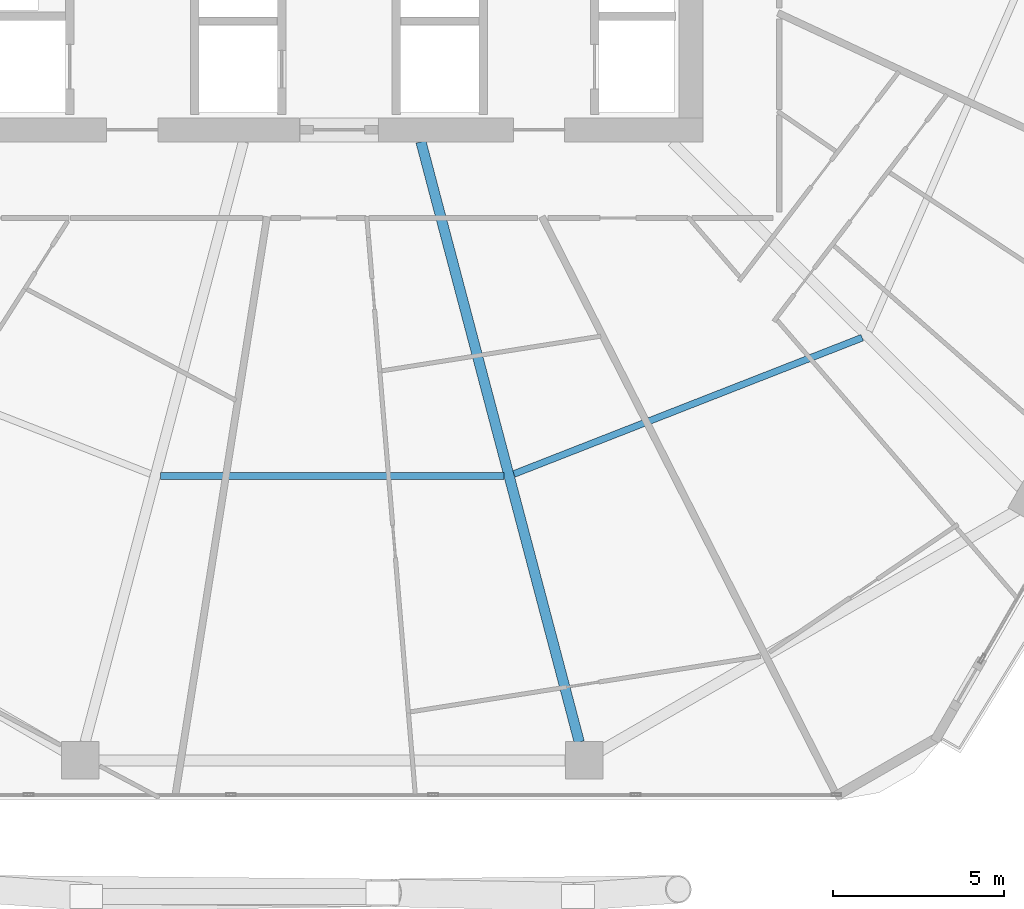
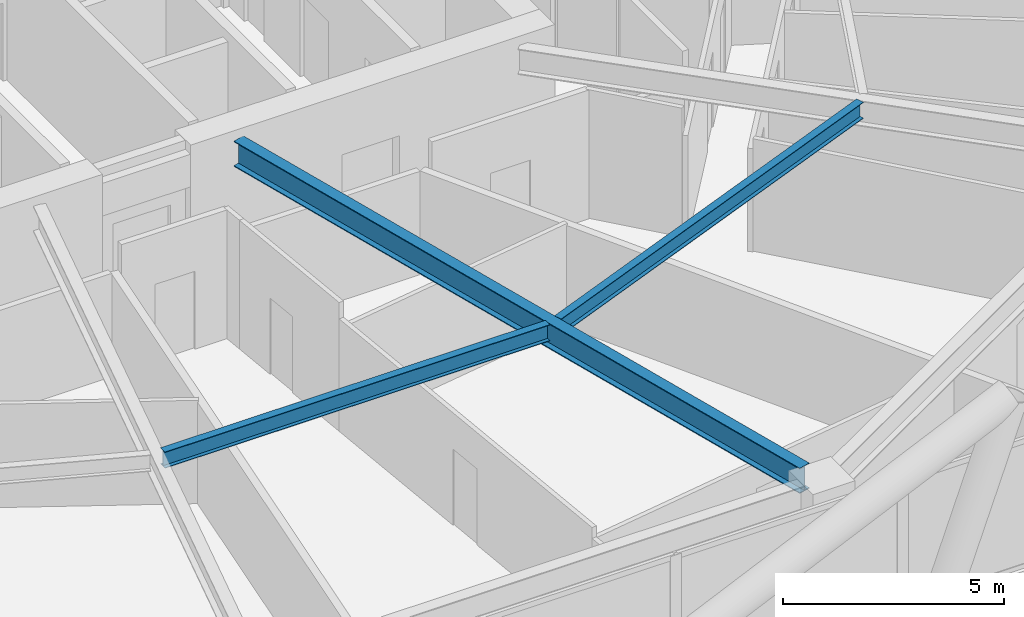
# One storey, part 8 of 34: 3 beams.
"""IFC4 building model written with IfcOpenShell, lengths in metres."""

import ifcopenshell
import ifcopenshell.guid

model = None  # the IFC model being written
_history = None  # IfcOwnerHistory: only IFC2X3 demands one
_inside = {}  # id of a spatial element -> (the spatial element, [elements in it])
_under = {}  # id of a project, library or spatial element -> (it, [spatial elements below it])
_declared = {}  # id of a project -> (the project, [libraries it declares])
_typed = {}  # id of a type object -> (the type object, [elements of that type])
_made_of = {}  # id of a material, layer set ... -> (it, [elements and type objects made of it])


def new_model(schema):
    """Start an empty IFC model of exactly this schema.

    Asked for "IFC4X3", IfcOpenShell would pick the latest addendum, in which some entities
    have other attributes; the version numbers below select the first issue.
    IFC2X3 requires an IfcOwnerHistory on every rooted entity: one is made here for all.
    """
    global model, _history
    if schema == "IFC4X3":
        model = ifcopenshell.file(schema_version=(4, 3, 0, 0))
    else:
        model = ifcopenshell.file(schema=schema)
    _inside.clear()
    _under.clear()
    _declared.clear()
    _typed.clear()
    _made_of.clear()
    _history = None
    if model.schema == "IFC2X3":
        org = make("IfcOrganization", Name="unknown")
        user = make(
            "IfcPersonAndOrganization",
            ThePerson=make("IfcPerson", FamilyName="unknown"),
            TheOrganization=org,
        )
        app = make(
            "IfcApplication",
            ApplicationDeveloper=org,
            Version="unknown",
            ApplicationFullName="unknown",
            ApplicationIdentifier="unknown",
        )
        _history = make(
            "IfcOwnerHistory",
            OwningUser=user,
            OwningApplication=app,
            ChangeAction="ADDED",
            CreationDate=0,
        )
    return model


def make(cls, **values):
    """One entity of the class cls with the attributes given. An attribute that is None is left unset."""
    return model.create_entity(
        cls, **{name: value for name, value in values.items() if value is not None}
    )


def rooted(cls, **values):
    """An entity with a GlobalId (a new one), such as an element, a storey or a relation."""
    return make(cls, GlobalId=ifcopenshell.guid.new(), OwnerHistory=_history, **values)


def si_unit(unit_type, name, prefix=None):
    """IfcSIUnit, for example si_unit("LENGTHUNIT", "METRE", prefix="MILLI")."""
    return make("IfcSIUnit", UnitType=unit_type, Prefix=prefix, Name=name)


def assignment(units):
    """IfcUnitAssignment: the units of a project."""
    return None if units is None else make("IfcUnitAssignment", Units=units)


def point(xyz):
    """IfcCartesianPoint."""
    return None if xyz is None else make("IfcCartesianPoint", Coordinates=xyz)


def direction(xyz):
    """IfcDirection."""
    return None if xyz is None else make("IfcDirection", DirectionRatios=xyz)


def frame(location, z_axis=None, x_axis=None):
    """IfcAxis2Placement3D, a coordinate frame: its origin and axes. An axis left out is left unset."""
    return make(
        "IfcAxis2Placement3D",
        Location=point(location),
        Axis=direction(z_axis),
        RefDirection=direction(x_axis),
    )


def frame_2d(location, x_axis=None):
    """IfcAxis2Placement2D, a coordinate frame in the plane: its origin and x axis."""
    return make(
        "IfcAxis2Placement2D", Location=point(location), RefDirection=direction(x_axis)
    )


def origin():
    """The frame at (0, 0, 0) with its axes left unset."""
    return frame((0.0, 0.0, 0.0))


def origin_2d():
    """The frame at (0, 0) in the plane with its x axis left unset."""
    return frame_2d((0.0, 0.0))


def place(relative_to, where):
    """IfcLocalPlacement: puts the frame where relative to a parent placement (None: the world)."""
    return make(
        "IfcLocalPlacement", PlacementRelTo=relative_to, RelativePlacement=where
    )


def context(
    kind, dimensions, precision=None, world=None, true_north=None, identifier=None
):
    """IfcGeometricRepresentationContext, for example the 3D "Model" context."""
    return make(
        "IfcGeometricRepresentationContext",
        ContextIdentifier=identifier,
        ContextType=kind,
        CoordinateSpaceDimension=dimensions,
        Precision=precision,
        WorldCoordinateSystem=world,
        TrueNorth=true_north,
    )


def subcontext(parent, identifier, kind, view, scale=None):
    """IfcGeometricRepresentationSubContext, for example "Body" below "Model"."""
    return make(
        "IfcGeometricRepresentationSubContext",
        ContextIdentifier=identifier,
        ContextType=kind,
        ParentContext=parent,
        TargetScale=scale,
        TargetView=view,
    )


def project(units=None, contexts=None):
    """IfcProject with its units and contexts."""
    return rooted(
        "IfcProject",
        Name="project",
        RepresentationContexts=contexts,
        UnitsInContext=assignment(units),
    )


def spatial(cls, under=None, at=None, **own):
    """A site, building, storey or space (cls), placed at a placement, below another one or the project."""
    s = rooted(cls, ObjectPlacement=at, **own)
    if under is not None:
        _under.setdefault(under.id(), (under, []))[1].append(s)
    return s


def profile(cls, at=None, kind="AREA", **sizes):
    """A parametric profile (cls). Its sizes go by their IFC names, for example OverallWidth=200.0."""
    return make(cls, ProfileType=kind, Position=at, **sizes)


def i_section(**sizes):
    """IfcIShapeProfileDef."""
    return profile("IfcIShapeProfileDef", **sizes)


def extrude(swept, where, along, depth):
    """IfcExtrudedAreaSolid: the profile swept, set in the frame where, extruded along a direction by depth."""
    return make(
        "IfcExtrudedAreaSolid",
        SweptArea=swept,
        Position=where,
        ExtrudedDirection=direction(along),
        Depth=depth,
    )


def shape(context_of_items, identifier, shape_type, items):
    """IfcShapeRepresentation: the items that make up one representation, for example the "Body"."""
    return make(
        "IfcShapeRepresentation",
        ContextOfItems=context_of_items,
        RepresentationIdentifier=identifier,
        RepresentationType=shape_type,
        Items=items,
    )


def material(Name=None, Category=None):
    """IfcMaterial."""
    return make("IfcMaterial", Name=Name, Category=Category)


def material_profile(
    of_material, cross_section, Name=None, Category=None, Priority=None
):
    """IfcMaterialProfile: a cross section and its material."""
    return make(
        "IfcMaterialProfile",
        Name=Name,
        Material=of_material,
        Profile=cross_section,
        Priority=Priority,
        Category=Category,
    )


def profile_set(profiles, Name=None, composite=None):
    """IfcMaterialProfileSet."""
    return make(
        "IfcMaterialProfileSet",
        Name=Name,
        MaterialProfiles=profiles,
        CompositeProfile=composite,
    )


def made_of(thing, what):
    """Note that an element or type object is made of a material, layer set ...; save() writes the relation."""
    if what is not None:
        _made_of.setdefault(what.id(), (what, []))[1].append(thing)
    return thing


def type_object(cls, material=None, **own):
    """A type object (cls), such as IfcWallType, which elements share."""
    return made_of(rooted(cls, **own), material)


def element(
    cls,
    number,
    at=None,
    inside=None,
    cuts=None,
    type_object=None,
    material=None,
    context=None,
    identifier="Body",
    shape_type=None,
    held_by="IfcProductDefinitionShape",
    body=None,
    shapes=None,
    **own,
):
    """One element of the class cls, such as IfcWall. Its Tag is "e" and its number.

    at: its placement. inside: the storey or other place that contains it. cuts: it is an
    opening in that element (IfcRelVoidsElement). A single representation is given by context,
    identifier, shape_type and body (its items); several are given by shapes. held_by: the class
    of the entity that holds the representations. save() writes the other relations.
    """
    e = rooted(cls, Tag="e%d" % number, ObjectPlacement=at, **own)
    if body is not None:
        shapes = [shape(context, identifier, shape_type, body)]
    if shapes is not None:
        e.Representation = make(held_by, Representations=shapes)
    if inside is not None:
        _inside.setdefault(inside.id(), (inside, []))[1].append(e)
    if cuts is not None:
        rooted(
            "IfcRelVoidsElement", RelatingBuildingElement=cuts, RelatedOpeningElement=e
        )
    if type_object is not None:
        _typed.setdefault(type_object.id(), (type_object, []))[1].append(e)
    return made_of(e, material)


def aggregate(whole, parts):
    """IfcRelAggregates: a whole, such as a stair, and the parts it consists of."""
    return rooted("IfcRelAggregates", RelatingObject=whole, RelatedObjects=parts)


def save(model, path):
    """Write the relations noted so far, then the file.

    IfcRelAggregates (storeys below a building ...), IfcRelContainedInSpatialStructure (elements
    in a storey), IfcRelDefinesByType, IfcRelAssociatesMaterial and IfcRelDeclares: one each for
    every whole, place, type object, material and project.
    """
    for whole, parts in _under.values():
        aggregate(whole, parts)
    for where, things in _inside.values():
        rooted(
            "IfcRelContainedInSpatialStructure",
            RelatedElements=things,
            RelatingStructure=where,
        )
    for kind, things in _typed.values():
        rooted("IfcRelDefinesByType", RelatedObjects=things, RelatingType=kind)
    for what, things in _made_of.values():
        rooted("IfcRelAssociatesMaterial", RelatedObjects=things, RelatingMaterial=what)
    for by, libraries in _declared.values():
        rooted("IfcRelDeclares", RelatingContext=by, RelatedDefinitions=libraries)
    model.write(path)


model = new_model("IFC4")

# Units and contexts
model_context = context("Model", 3, precision=1e-05, world=origin(), true_north=direction((0.0, 1.0)))
body_context = subcontext(model_context, "Body", "Model", "MODEL_VIEW")
ifc_project = project(units=[si_unit("LENGTHUNIT", "METRE"), si_unit("AREAUNIT", "SQUARE_METRE"), si_unit("VOLUMEUNIT", "CUBIC_METRE"), si_unit("PLANEANGLEUNIT", "RADIAN"), si_unit("MASSUNIT", "GRAM", prefix="KILO")], contexts=[model_context])

# Site, building, storey
site_placement = place(None, origin())
site = spatial("IfcSite", under=ifc_project, at=site_placement, CompositionType="ELEMENT")
building_placement = place(site_placement, origin())
building = spatial("IfcBuilding", under=site, at=building_placement, Name="Zuhravey Tower", CompositionType="ELEMENT")
storey_placement = place(building_placement, frame((0.0, 0.0, 130.39990234375)))
storey = spatial("IfcBuildingStorey", under=building, at=storey_placement, Name="L32", CompositionType="ELEMENT", Elevation=130.39990234375)

# Beams
ifc_material = material(Name="Steel SM355", Category="steel")
ifc_material_profile_1 = material_profile(ifc_material, i_section(OverallWidth=0.300048828125, OverallDepth=0.699951171875, WebThickness=0.012939453125, FlangeThickness=0.02392578125, at=origin_2d()), Name="H-700x300x13x24")
ifc_profile_set_1 = profile_set([ifc_material_profile_1], Name="Steel SM355")
beam_type_1 = type_object("IfcBeamType", Name="Radial Primary Girder H700x300", PredefinedType="BEAM", material=ifc_profile_set_1)
beam_1_placement = place(storey_placement, frame((38.59814453125, 22.14697265625, 3.2001953125), z_axis=(0.25498755891, -0.966944333869, 0.0), x_axis=(0.966944333869, 0.25498755891, 0.0)))
element("IfcBeam", 1, at=beam_1_placement, inside=storey, type_object=beam_type_1, Name="L32 RG1 BM-L32-RAD-10", PredefinedType="BEAM", context=body_context, shape_type="SweptSolid", body=[
    extrude(i_section(OverallWidth=0.300048828125, OverallDepth=0.699951171875, WebThickness=0.012939453125, FlangeThickness=0.02392578125, at=origin_2d()), origin(), (0.0, 0.0, 1.0), 18.1611328125),
])
ifc_material_profile_2 = material_profile(ifc_material, i_section(OverallWidth=0.199951171875, OverallDepth=0.449951171875, WebThickness=0.009033203125, FlangeThickness=0.013916015625, at=origin_2d()), Name="H-450x200x9x14")
ifc_profile_set_2 = profile_set([ifc_material_profile_2], Name="Steel SM355")
beam_type_2 = type_object("IfcBeamType", Name="Secondary Floor Joist H450x200", PredefinedType="JOIST", material=ifc_profile_set_2)
beam_2_placement = place(storey_placement, frame((30.97900390625, 12.37548828125, 3.3251953125), z_axis=(1.0, 0.0, 0.0), x_axis=(0.0, 1.0, 0.0)))
element("IfcBeam", 2, at=beam_2_placement, inside=storey, type_object=beam_type_2, Name="L32 SJ1 BM-L32-SJ-09-1", PredefinedType="JOIST", context=body_context, shape_type="SweptSolid", body=[
    extrude(i_section(OverallWidth=0.199951171875, OverallDepth=0.449951171875, WebThickness=0.009033203125, FlangeThickness=0.013916015625, at=origin_2d()), origin(), (0.0, 0.0, 1.0), 10.0419921875),
])
beam_3_placement = place(storey_placement, frame((41.318359375, 12.431640625, 3.3251953125), z_axis=(0.931216764731, 0.364465824302, 0.0), x_axis=(-0.364465824302, 0.931216764731, 0.0)))
element("IfcBeam", 3, at=beam_3_placement, inside=storey, type_object=beam_type_2, Name="L32 SJ1 BM-L32-SJ-10-1", PredefinedType="JOIST", context=body_context, shape_type="SweptSolid", body=[
    extrude(i_section(OverallWidth=0.199951171875, OverallDepth=0.449951171875, WebThickness=0.009033203125, FlangeThickness=0.013916015625, at=origin_2d()), origin(), (0.0, 0.0, 1.0), 10.939453125),
])

save(model, "model.ifc")
